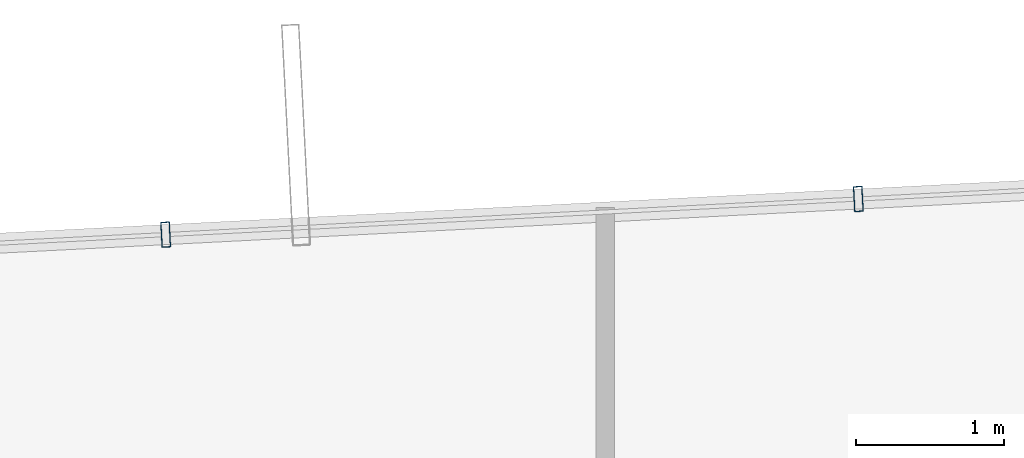
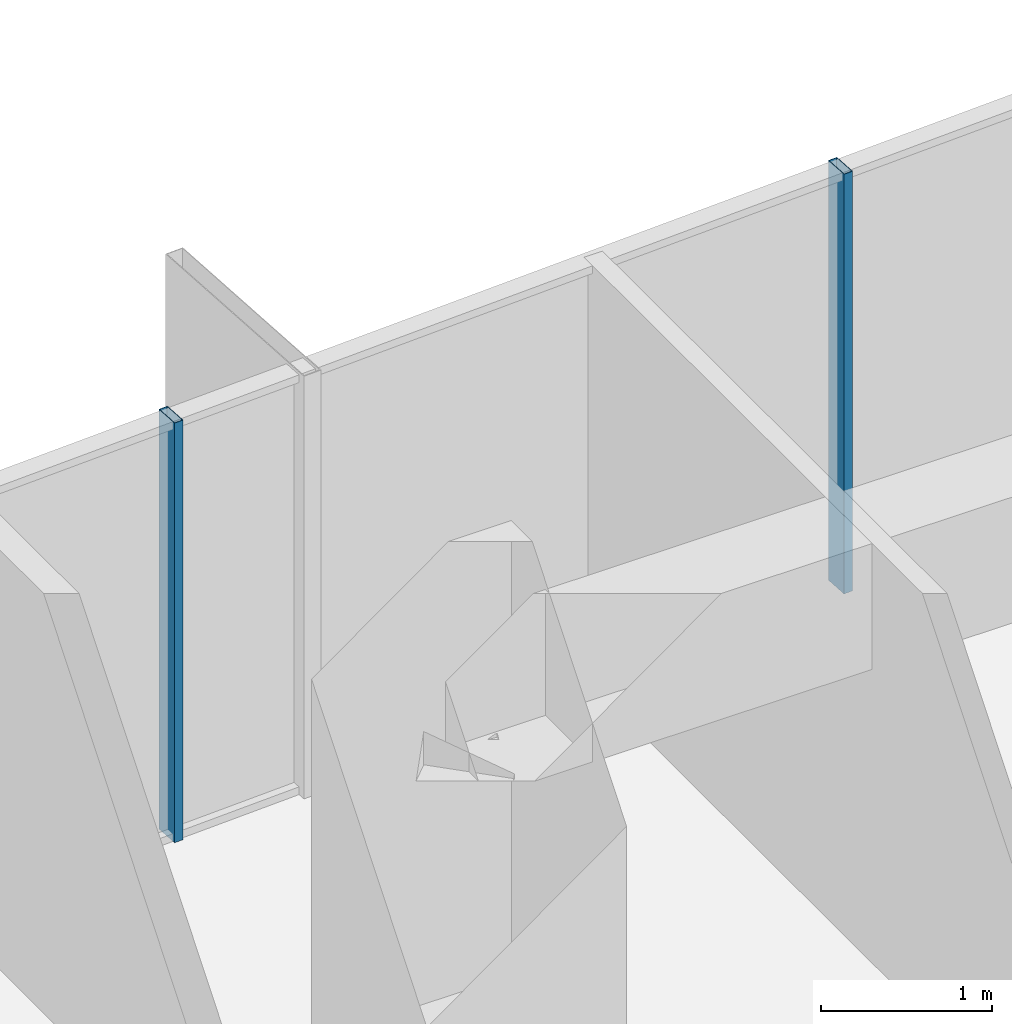
# One storey, part 25 of 37: 2 members, 1 element without a shape of its own.
"""IFC4 building model written with IfcOpenShell, lengths in metres."""

from ifc_helpers import new_model, si_unit, direction, frame, origin, origin_2d, place, context, subcontext, project, spatial, hollow_rectangle, extrude, source, transform, mapped, material, layer, layer_set, material_profile, profile_set, type_object, element, aggregate, save


model = new_model("IFC4")

# Units and contexts
model_context = context("Model", 3, precision=1e-05, world=origin(), true_north=direction((0.0, 1.0)))
body_context = subcontext(model_context, "Body", "Model", "MODEL_VIEW")
ifc_project = project(units=[si_unit("LENGTHUNIT", "METRE"), si_unit("AREAUNIT", "SQUARE_METRE"), si_unit("VOLUMEUNIT", "CUBIC_METRE"), si_unit("PLANEANGLEUNIT", "RADIAN"), si_unit("MASSUNIT", "GRAM", prefix="KILO")], contexts=[model_context])

# Site, building, storey
site_placement = place(None, origin())
site = spatial("IfcSite", under=ifc_project, at=site_placement, CompositionType="ELEMENT")
building_placement = place(site_placement, origin())
building = spatial("IfcBuilding", under=site, at=building_placement, Name="Veraguas Prism Commons", CompositionType="ELEMENT")
storey_placement = place(building_placement, frame((0.0, 0.0, 33.800048828125)))
storey = spatial("IfcBuildingStorey", under=building, at=storey_placement, Name="L08", CompositionType="ELEMENT", Elevation=33.800048828125)

# Curtain wall, members
ifc_material = material(Name="Anodised aluminium EN AW-6063 T6", Category="aluminium")
ifc_layer = layer(ifc_material, 0.169921875, Name="Unitised Flush Curtain Wall Zone 1", Category="aluminium")
ifc_layer_set = layer_set([ifc_layer], Name="Anodised aluminium EN AW-6063 T6")
curtain_wall_type = type_object("IfcCurtainWallType", Name="Unitised Flush Curtain Wall Zone 1", PredefinedType="NOTDEFINED", material=ifc_layer_set)
curtain_wall_placement = place(storey_placement, origin())
curtain_wall = element("IfcCurtainWall", 1, at=curtain_wall_placement, inside=storey, type_object=curtain_wall_type, Name="Tower Facade Curtain Wall L08-F2", PredefinedType="NOTDEFINED")
ifc_material_profile = material_profile(ifc_material, hollow_rectangle(XDim=0.06005859375, YDim=0.169921875, WallThickness=0.00390625, at=origin_2d()), Name="AL60X170X4")
ifc_profile_set = profile_set([ifc_material_profile], Name="Anodised aluminium EN AW-6063 T6")
member_type = type_object("IfcMemberType", Name="Curtain Wall Mullion Lower AL 60x170x4", PredefinedType="MULLION", material=ifc_profile_set)
shared_shape = source(origin(), body_context, "Body", "SweptSolid", [
    extrude(hollow_rectangle(XDim=0.06005859375, YDim=0.169921875, WallThickness=0.00390625, at=origin_2d()), origin(), (0.0, 0.0, 1.0), 3.0),
])
member_1_placement = place(storey_placement, frame((22.933837890625, 44.75732421875, 0.0), z_axis=(0.0, 0.0, 1.0), x_axis=(-0.99868379327, -0.051290165334, 0.0)))
member_1 = element("IfcMember", 2, at=member_1_placement, type_object=member_type, Name="CW-Z1 Mullion 3", PredefinedType="MULLION", context=body_context, shape_type="MappedRepresentation", body=[
    mapped(shared_shape, transform((0.0, 0.0, 0.0), scale=1.0)),
])
member_2_placement = place(storey_placement, frame((18.26904296875, 44.517578125, 0.0), z_axis=(0.0, 0.0, 1.0), x_axis=(-0.99868379327, -0.051290165334, 0.0)))
member_2 = element("IfcMember", 3, at=member_2_placement, type_object=member_type, Name="CW-Z1 Mullion 4", PredefinedType="MULLION", context=body_context, shape_type="MappedRepresentation", body=[
    mapped(shared_shape, transform((0.0, 0.0, 0.0), scale=1.0)),
])
aggregate(curtain_wall, [member_1, member_2])

save(model, "model.ifc")
